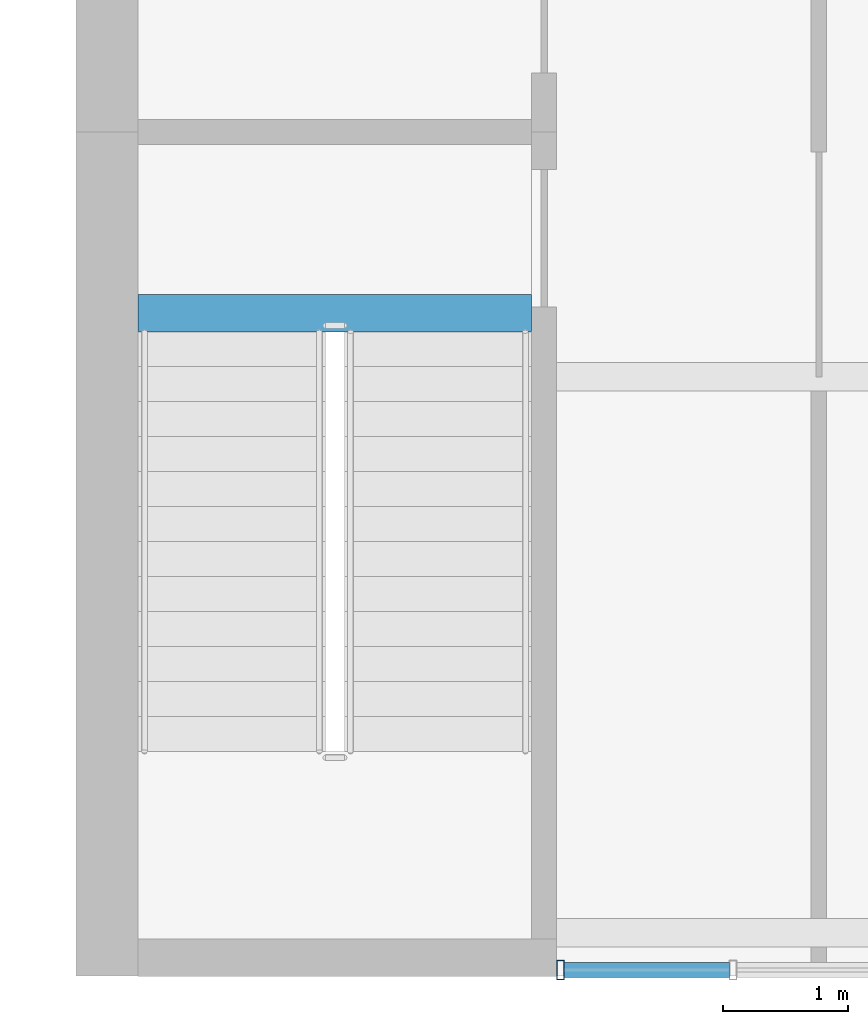
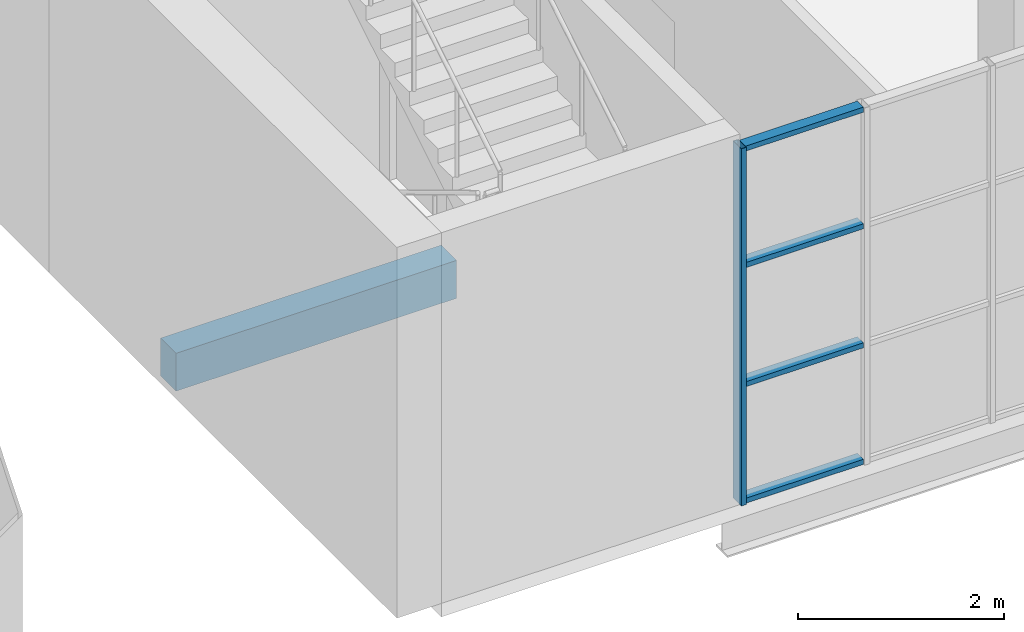
# One storey, part 8 of 30: 5 members, 1 beam, 1 element without a shape of its own.
"""IFC4 building model written with IfcOpenShell, lengths in metres."""

import ifcopenshell
import ifcopenshell.guid

model = None  # the IFC model being written
_history = None  # IfcOwnerHistory: only IFC2X3 demands one
_inside = {}  # id of a spatial element -> (the spatial element, [elements in it])
_under = {}  # id of a project, library or spatial element -> (it, [spatial elements below it])
_declared = {}  # id of a project -> (the project, [libraries it declares])
_typed = {}  # id of a type object -> (the type object, [elements of that type])
_made_of = {}  # id of a material, layer set ... -> (it, [elements and type objects made of it])


def new_model(schema):
    """Start an empty IFC model of exactly this schema.

    Asked for "IFC4X3", IfcOpenShell would pick the latest addendum, in which some entities
    have other attributes; the version numbers below select the first issue.
    IFC2X3 requires an IfcOwnerHistory on every rooted entity: one is made here for all.
    """
    global model, _history
    if schema == "IFC4X3":
        model = ifcopenshell.file(schema_version=(4, 3, 0, 0))
    else:
        model = ifcopenshell.file(schema=schema)
    _inside.clear()
    _under.clear()
    _declared.clear()
    _typed.clear()
    _made_of.clear()
    _history = None
    if model.schema == "IFC2X3":
        org = make("IfcOrganization", Name="unknown")
        user = make(
            "IfcPersonAndOrganization",
            ThePerson=make("IfcPerson", FamilyName="unknown"),
            TheOrganization=org,
        )
        app = make(
            "IfcApplication",
            ApplicationDeveloper=org,
            Version="unknown",
            ApplicationFullName="unknown",
            ApplicationIdentifier="unknown",
        )
        _history = make(
            "IfcOwnerHistory",
            OwningUser=user,
            OwningApplication=app,
            ChangeAction="ADDED",
            CreationDate=0,
        )
    return model


def make(cls, **values):
    """One entity of the class cls with the attributes given. An attribute that is None is left unset."""
    return model.create_entity(
        cls, **{name: value for name, value in values.items() if value is not None}
    )


def rooted(cls, **values):
    """An entity with a GlobalId (a new one), such as an element, a storey or a relation."""
    return make(cls, GlobalId=ifcopenshell.guid.new(), OwnerHistory=_history, **values)


def si_unit(unit_type, name, prefix=None):
    """IfcSIUnit, for example si_unit("LENGTHUNIT", "METRE", prefix="MILLI")."""
    return make("IfcSIUnit", UnitType=unit_type, Prefix=prefix, Name=name)


def assignment(units):
    """IfcUnitAssignment: the units of a project."""
    return None if units is None else make("IfcUnitAssignment", Units=units)


def point(xyz):
    """IfcCartesianPoint."""
    return None if xyz is None else make("IfcCartesianPoint", Coordinates=xyz)


def direction(xyz):
    """IfcDirection."""
    return None if xyz is None else make("IfcDirection", DirectionRatios=xyz)


def frame(location, z_axis=None, x_axis=None):
    """IfcAxis2Placement3D, a coordinate frame: its origin and axes. An axis left out is left unset."""
    return make(
        "IfcAxis2Placement3D",
        Location=point(location),
        Axis=direction(z_axis),
        RefDirection=direction(x_axis),
    )


def frame_2d(location, x_axis=None):
    """IfcAxis2Placement2D, a coordinate frame in the plane: its origin and x axis."""
    return make(
        "IfcAxis2Placement2D", Location=point(location), RefDirection=direction(x_axis)
    )


def origin():
    """The frame at (0, 0, 0) with its axes left unset."""
    return frame((0.0, 0.0, 0.0))


def origin_2d():
    """The frame at (0, 0) in the plane with its x axis left unset."""
    return frame_2d((0.0, 0.0))


def place(relative_to, where):
    """IfcLocalPlacement: puts the frame where relative to a parent placement (None: the world)."""
    return make(
        "IfcLocalPlacement", PlacementRelTo=relative_to, RelativePlacement=where
    )


def context(
    kind, dimensions, precision=None, world=None, true_north=None, identifier=None
):
    """IfcGeometricRepresentationContext, for example the 3D "Model" context."""
    return make(
        "IfcGeometricRepresentationContext",
        ContextIdentifier=identifier,
        ContextType=kind,
        CoordinateSpaceDimension=dimensions,
        Precision=precision,
        WorldCoordinateSystem=world,
        TrueNorth=true_north,
    )


def subcontext(parent, identifier, kind, view, scale=None):
    """IfcGeometricRepresentationSubContext, for example "Body" below "Model"."""
    return make(
        "IfcGeometricRepresentationSubContext",
        ContextIdentifier=identifier,
        ContextType=kind,
        ParentContext=parent,
        TargetScale=scale,
        TargetView=view,
    )


def project(units=None, contexts=None):
    """IfcProject with its units and contexts."""
    return rooted(
        "IfcProject",
        Name="project",
        RepresentationContexts=contexts,
        UnitsInContext=assignment(units),
    )


def spatial(cls, under=None, at=None, **own):
    """A site, building, storey or space (cls), placed at a placement, below another one or the project."""
    s = rooted(cls, ObjectPlacement=at, **own)
    if under is not None:
        _under.setdefault(under.id(), (under, []))[1].append(s)
    return s


def profile(cls, at=None, kind="AREA", **sizes):
    """A parametric profile (cls). Its sizes go by their IFC names, for example OverallWidth=200.0."""
    return make(cls, ProfileType=kind, Position=at, **sizes)


def rectangle(**sizes):
    """IfcRectangleProfileDef."""
    return profile("IfcRectangleProfileDef", **sizes)


def hollow_rectangle(**sizes):
    """IfcRectangleHollowProfileDef."""
    return profile("IfcRectangleHollowProfileDef", **sizes)


def extrude(swept, where, along, depth):
    """IfcExtrudedAreaSolid: the profile swept, set in the frame where, extruded along a direction by depth."""
    return make(
        "IfcExtrudedAreaSolid",
        SweptArea=swept,
        Position=where,
        ExtrudedDirection=direction(along),
        Depth=depth,
    )


def shape(context_of_items, identifier, shape_type, items):
    """IfcShapeRepresentation: the items that make up one representation, for example the "Body"."""
    return make(
        "IfcShapeRepresentation",
        ContextOfItems=context_of_items,
        RepresentationIdentifier=identifier,
        RepresentationType=shape_type,
        Items=items,
    )


def material(Name=None, Category=None):
    """IfcMaterial."""
    return make("IfcMaterial", Name=Name, Category=Category)


def layer(
    of_material, thickness, ventilated=None, Name=None, Category=None, Priority=None
):
    """IfcMaterialLayer: one layer of a wall or slab, of a material (None: an air gap)."""
    return make(
        "IfcMaterialLayer",
        Material=of_material,
        LayerThickness=thickness,
        IsVentilated=ventilated,
        Name=Name,
        Category=Category,
        Priority=Priority,
    )


def layer_set(layers, Name=None):
    """IfcMaterialLayerSet."""
    return make("IfcMaterialLayerSet", MaterialLayers=layers, LayerSetName=Name)


def material_profile(
    of_material, cross_section, Name=None, Category=None, Priority=None
):
    """IfcMaterialProfile: a cross section and its material."""
    return make(
        "IfcMaterialProfile",
        Name=Name,
        Material=of_material,
        Profile=cross_section,
        Priority=Priority,
        Category=Category,
    )


def profile_set(profiles, Name=None, composite=None):
    """IfcMaterialProfileSet."""
    return make(
        "IfcMaterialProfileSet",
        Name=Name,
        MaterialProfiles=profiles,
        CompositeProfile=composite,
    )


def made_of(thing, what):
    """Note that an element or type object is made of a material, layer set ...; save() writes the relation."""
    if what is not None:
        _made_of.setdefault(what.id(), (what, []))[1].append(thing)
    return thing


def type_object(cls, material=None, **own):
    """A type object (cls), such as IfcWallType, which elements share."""
    return made_of(rooted(cls, **own), material)


def element(
    cls,
    number,
    at=None,
    inside=None,
    cuts=None,
    type_object=None,
    material=None,
    context=None,
    identifier="Body",
    shape_type=None,
    held_by="IfcProductDefinitionShape",
    body=None,
    shapes=None,
    **own,
):
    """One element of the class cls, such as IfcWall. Its Tag is "e" and its number.

    at: its placement. inside: the storey or other place that contains it. cuts: it is an
    opening in that element (IfcRelVoidsElement). A single representation is given by context,
    identifier, shape_type and body (its items); several are given by shapes. held_by: the class
    of the entity that holds the representations. save() writes the other relations.
    """
    e = rooted(cls, Tag="e%d" % number, ObjectPlacement=at, **own)
    if body is not None:
        shapes = [shape(context, identifier, shape_type, body)]
    if shapes is not None:
        e.Representation = make(held_by, Representations=shapes)
    if inside is not None:
        _inside.setdefault(inside.id(), (inside, []))[1].append(e)
    if cuts is not None:
        rooted(
            "IfcRelVoidsElement", RelatingBuildingElement=cuts, RelatedOpeningElement=e
        )
    if type_object is not None:
        _typed.setdefault(type_object.id(), (type_object, []))[1].append(e)
    return made_of(e, material)


def aggregate(whole, parts):
    """IfcRelAggregates: a whole, such as a stair, and the parts it consists of."""
    return rooted("IfcRelAggregates", RelatingObject=whole, RelatedObjects=parts)


def save(model, path):
    """Write the relations noted so far, then the file.

    IfcRelAggregates (storeys below a building ...), IfcRelContainedInSpatialStructure (elements
    in a storey), IfcRelDefinesByType, IfcRelAssociatesMaterial and IfcRelDeclares: one each for
    every whole, place, type object, material and project.
    """
    for whole, parts in _under.values():
        aggregate(whole, parts)
    for where, things in _inside.values():
        rooted(
            "IfcRelContainedInSpatialStructure",
            RelatedElements=things,
            RelatingStructure=where,
        )
    for kind, things in _typed.values():
        rooted("IfcRelDefinesByType", RelatedObjects=things, RelatingType=kind)
    for what, things in _made_of.values():
        rooted("IfcRelAssociatesMaterial", RelatedObjects=things, RelatingMaterial=what)
    for by, libraries in _declared.values():
        rooted("IfcRelDeclares", RelatingContext=by, RelatedDefinitions=libraries)
    model.write(path)


model = new_model("IFC4")

# Units and contexts
model_context = context("Model", 3, precision=1e-05, world=origin(), true_north=direction((0.0, 1.0)))
body_context = subcontext(model_context, "Body", "Model", "MODEL_VIEW")
ifc_project = project(units=[si_unit("LENGTHUNIT", "METRE"), si_unit("AREAUNIT", "SQUARE_METRE"), si_unit("VOLUMEUNIT", "CUBIC_METRE"), si_unit("PLANEANGLEUNIT", "RADIAN"), si_unit("MASSUNIT", "GRAM", prefix="KILO")], contexts=[model_context])

# Site, building, storey
site_placement = place(None, origin())
site = spatial("IfcSite", under=ifc_project, at=site_placement, CompositionType="ELEMENT")
building_placement = place(site_placement, origin())
building = spatial("IfcBuilding", under=site, at=building_placement, Name="Baori Bourse Tower", CompositionType="ELEMENT")
storey_placement = place(building_placement, frame((0.0, 0.0, 17.0)))
storey = spatial("IfcBuildingStorey", under=building, at=storey_placement, Name="L02", CompositionType="ELEMENT", Elevation=17.0)

# Beam
ifc_material_1 = material(Name="Concrete f'c 40 MPa", Category="concrete")
ifc_material_profile_1 = material_profile(ifc_material_1, rectangle(XDim=0.300048828125, YDim=0.449951171875, at=origin_2d()), Name="Stair trimmer beam 300x450")
ifc_profile_set_1 = profile_set([ifc_material_profile_1], Name="Concrete f'c 40 MPa")
beam_type = type_object("IfcBeamType", Name="Stair trimmer beam 300x450", PredefinedType="BEAM", material=ifc_profile_set_1)
beam_placement = place(storey_placement, frame((57.85009765625, -19.889892578125, -0.385009765625), z_axis=(1.0, 0.0, 0.0), x_axis=(0.0, 1.0, 0.0)))
element("IfcBeam", 1, at=beam_placement, inside=storey, type_object=beam_type, Name="wing/L02/Etrimmer/002", PredefinedType="BEAM", context=body_context, shape_type="SweptSolid", body=[
    extrude(rectangle(XDim=0.300048828125, YDim=0.449951171875, at=origin_2d()), origin(), (0.0, 0.0, 1.0), 3.14990234375),
])

# Curtain wall, members
ifc_material_2 = material(Name="Pale anodised aluminium", Category="aluminium")
ifc_layer = layer(ifc_material_2, 0.10009765625)
ifc_layer_set = layer_set([ifc_layer], Name="Wing curtain wall")
curtain_wall_type = type_object("IfcCurtainWallType", Name="Wing curtain wall", PredefinedType="NOTDEFINED", material=ifc_layer_set)
curtain_wall_placement = place(storey_placement, origin())
curtain_wall = element("IfcCurtainWall", 2, at=curtain_wall_placement, inside=storey, type_object=curtain_wall_type, Name="wing/L02/Ecw/003", PredefinedType="NOTDEFINED")
ifc_material_3 = material(Name="Pale anodised aluminium", Category="aluminium")
ifc_material_profile_2 = material_profile(ifc_material_3, hollow_rectangle(XDim=0.159912109375, YDim=0.06005859375, WallThickness=0.0048828125, at=origin_2d()), Name="Mullion 160x60x5")
ifc_profile_set_2 = profile_set([ifc_material_profile_2], Name="Pale anodised aluminium")
member_type_1 = type_object("IfcMemberType", Name="Wing mullion 60x160", PredefinedType="MULLION", material=ifc_profile_set_2)
member_1_placement = place(storey_placement, frame((61.22998046875, -25.14990234375, 0.0), z_axis=(0.0, 0.0, 1.0), x_axis=(0.0, 1.0, 0.0)))
member_1 = element("IfcMember", 3, at=member_1_placement, type_object=member_type_1, Name="X12 mullion 1", PredefinedType="MULLION", context=body_context, shape_type="SweptSolid", body=[
    extrude(hollow_rectangle(XDim=0.159912109375, YDim=0.06005859375, WallThickness=0.0048828125, at=origin_2d()), origin(), (0.0, 0.0, 1.0), 4.239990234375),
])
ifc_material_4 = material(Name="Pale anodised aluminium", Category="aluminium")
ifc_material_profile_3 = material_profile(ifc_material_4, hollow_rectangle(XDim=0.1201171875, YDim=0.06005859375, WallThickness=0.0048828125, at=origin_2d()), Name="Transom 120x60x5")
ifc_profile_set_3 = profile_set([ifc_material_profile_3], Name="Pale anodised aluminium")
member_type_2 = type_object("IfcMemberType", Name="Wing transom 120x60", PredefinedType="USERDEFINED", material=ifc_profile_set_3)
member_2_placement = place(storey_placement, frame((61.260009765625, -25.14990234375, 0.030029296875), z_axis=(1.0, 0.0, 0.0), x_axis=(0.0, 1.0, 0.0)))
member_2 = element("IfcMember", 4, at=member_2_placement, type_object=member_type_2, Name="X12 transom 1.1", ObjectType="TRANSOM", PredefinedType="USERDEFINED", context=body_context, shape_type="SweptSolid", body=[
    extrude(hollow_rectangle(XDim=0.1201171875, YDim=0.06005859375, WallThickness=0.0048828125, at=origin_2d()), origin(), (0.0, 0.0, 1.0), 1.322509765625),
])
member_3_placement = place(storey_placement, frame((61.260009765625, -25.14990234375, 1.413330078125), z_axis=(1.0, 0.0, 0.0), x_axis=(0.0, 1.0, 0.0)))
member_3 = element("IfcMember", 5, at=member_3_placement, type_object=member_type_2, Name="X12 transom 1.2", ObjectType="TRANSOM", PredefinedType="USERDEFINED", context=body_context, shape_type="SweptSolid", body=[
    extrude(hollow_rectangle(XDim=0.1201171875, YDim=0.06005859375, WallThickness=0.0048828125, at=origin_2d()), origin(), (0.0, 0.0, 1.0), 1.322509765625),
])
member_4_placement = place(storey_placement, frame((61.260009765625, -25.14990234375, 2.82666015625), z_axis=(1.0, 0.0, 0.0), x_axis=(0.0, 1.0, 0.0)))
member_4 = element("IfcMember", 6, at=member_4_placement, type_object=member_type_2, Name="X12 transom 1.3", ObjectType="TRANSOM", PredefinedType="USERDEFINED", context=body_context, shape_type="SweptSolid", body=[
    extrude(hollow_rectangle(XDim=0.1201171875, YDim=0.06005859375, WallThickness=0.0048828125, at=origin_2d()), origin(), (0.0, 0.0, 1.0), 1.322509765625),
])
member_5_placement = place(storey_placement, frame((61.260009765625, -25.14990234375, 4.2099609375), z_axis=(1.0, 0.0, 0.0), x_axis=(0.0, 1.0, 0.0)))
member_5 = element("IfcMember", 7, at=member_5_placement, type_object=member_type_2, Name="X12 transom 1.4", ObjectType="TRANSOM", PredefinedType="USERDEFINED", context=body_context, shape_type="SweptSolid", body=[
    extrude(hollow_rectangle(XDim=0.1201171875, YDim=0.06005859375, WallThickness=0.0048828125, at=origin_2d()), origin(), (0.0, 0.0, 1.0), 1.322509765625),
])
aggregate(curtain_wall, [member_1, member_2, member_3, member_4, member_5])

save(model, "model.ifc")
